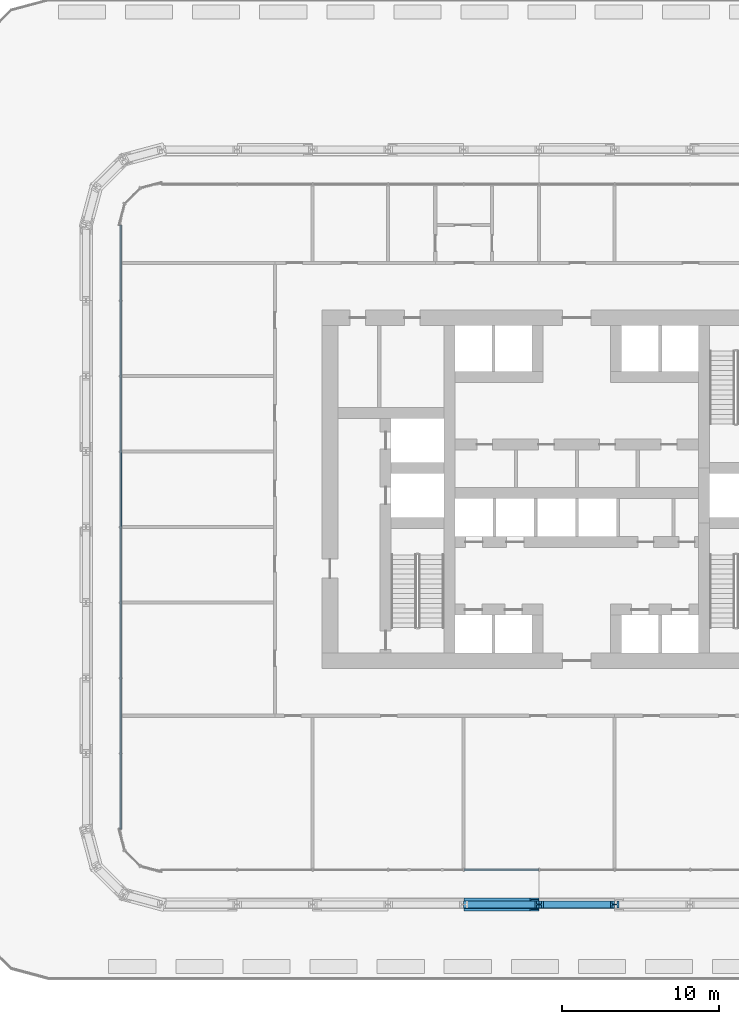
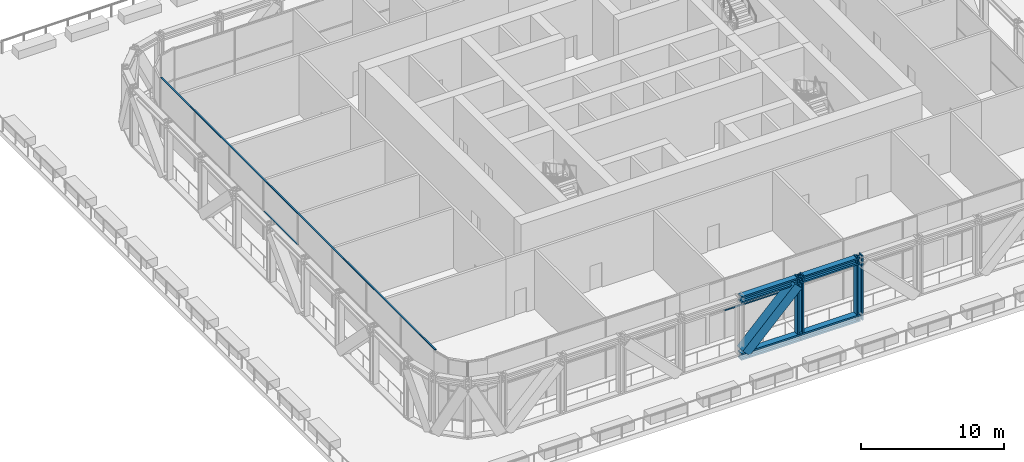
# One storey, part 3 of 22: 10 members, 2 elements without a shape of their own.
"""IFC4 building model written with IfcOpenShell, lengths in metres."""

from ifc_helpers import new_model, si_unit, direction, frame, origin, origin_2d, place, context, subcontext, project, spatial, rectangle, hollow_rectangle, i_section, extrude, material, layer, layer_set, material_profile, profile_set, type_object, element, aggregate, save


model = new_model("IFC4")

# Units and contexts
model_context = context("Model", 3, precision=1e-05, world=origin(), true_north=direction((0.0, 1.0)))
body_context = subcontext(model_context, "Body", "Model", "MODEL_VIEW")
ifc_project = project(units=[si_unit("LENGTHUNIT", "METRE"), si_unit("AREAUNIT", "SQUARE_METRE"), si_unit("VOLUMEUNIT", "CUBIC_METRE"), si_unit("PLANEANGLEUNIT", "RADIAN"), si_unit("MASSUNIT", "GRAM", prefix="KILO")], contexts=[model_context])

# Site, building, storey
site_placement = place(None, origin())
site = spatial("IfcSite", under=ifc_project, at=site_placement, CompositionType="ELEMENT")
building_placement = place(site_placement, origin())
building = spatial("IfcBuilding", under=site, at=building_placement, Name="Madar Terraces", CompositionType="ELEMENT")
storey_placement = place(building_placement, frame((0.0, 0.0, 24.0)))
storey = spatial("IfcBuildingStorey", under=building, at=storey_placement, Name="L05", CompositionType="ELEMENT", Elevation=24.0)

# Members
ifc_material_1 = material(Name="Steel ASTM A913 Grade 65", Category="steel")
ifc_material_profile_1 = material_profile(ifc_material_1, i_section(OverallWidth=0.4775390625, OverallDepth=0.599365234375, WebThickness=0.10009765625, FlangeThickness=0.139892578125, at=origin_2d()), Name="W14x873")
ifc_profile_set_1 = profile_set([ifc_material_profile_1], Name="Steel ASTM A913 Grade 65")
member_type_1 = type_object("IfcMemberType", Name="BC1 W14x873", PredefinedType="CHORD", material=ifc_profile_set_1)
for number, where, z_axis, x_axis, name in (
    (1, (24.0, 0.0, -0.120361328125), (1.0, 0.0, 0.0), (0.0, 1.0, 0.0), "Exoskeleton truss ring bottom chord BC1"),
    (2, (28.800048828125, 0.0, -0.120361328125), (1.0, 0.0, 0.0), (0.0, 1.0, 0.0), "Exoskeleton truss ring bottom chord BC1"),
):
    element("IfcMember", number, at=place(storey_placement, frame(where, z_axis=z_axis, x_axis=x_axis)), inside=storey, type_object=member_type_1, Name=name, PredefinedType="CHORD", context=body_context, shape_type="SweptSolid", body=[
        extrude(i_section(OverallWidth=0.4775390625, OverallDepth=0.599365234375, WebThickness=0.10009765625, FlangeThickness=0.139892578125, at=origin_2d()), origin(), (0.0, 0.0, 1.0), 4.800048828125),
    ])

# Curtain wall, member
ifc_material_2 = material(Name="Glass, ceramic frit dark grey, with black aluminium frame", Category="aluminium")
ifc_layer = layer(ifc_material_2, 0.199951171875)
ifc_layer_set = layer_set([ifc_layer], Name="Facade curtain wall, tall glazing")
curtain_wall_type = type_object("IfcCurtainWallType", Name="Facade curtain wall, tall glazing", PredefinedType="NOTDEFINED", material=ifc_layer_set)
curtain_wall_1_placement = place(storey_placement, origin())
curtain_wall_1 = element("IfcCurtainWall", 3, at=curtain_wall_1_placement, inside=storey, type_object=curtain_wall_type, Name="Outer skin curtain wall south bay 1", PredefinedType="NOTDEFINED")
ifc_material_3 = material(Name="Aluminium, black anodised", Category="aluminium")
ifc_material_profile_2 = material_profile(ifc_material_3, rectangle(XDim=0.1201171875, YDim=0.06005859375, at=origin_2d()), Name="Facade transom 60x120")
ifc_profile_set_2 = profile_set([ifc_material_profile_2], Name="Aluminium, black anodised")
member_type_2 = type_object("IfcMemberType", Name="Facade transom 60x120", PredefinedType="USERDEFINED", material=ifc_profile_set_2)
member_1_placement = place(storey_placement, frame((24.030029296875, 2.199951171875, 2.39990234375), z_axis=(1.0, 0.0, 0.0), x_axis=(0.0, 1.0, 0.0)))
member_1 = element("IfcMember", 4, at=member_1_placement, type_object=member_type_2, Name="Transom 8", ObjectType="TRANSOM", PredefinedType="USERDEFINED", context=body_context, shape_type="SweptSolid", body=[
    extrude(rectangle(XDim=0.1201171875, YDim=0.06005859375, at=origin_2d()), origin(), (0.0, 0.0, 1.0), 4.739990234375),
])
aggregate(curtain_wall_1, [member_1])

# Curtain wall, members
curtain_wall_2_placement = place(storey_placement, origin())
curtain_wall_2 = element("IfcCurtainWall", 5, at=curtain_wall_2_placement, inside=storey, type_object=curtain_wall_type, Name="Outer skin curtain wall west bay 1", PredefinedType="NOTDEFINED")
member_2_placement = place(storey_placement, frame((2.199951171875, 43.199951171875, 5.070068359375), z_axis=(0.0, -1.0, 0.0), x_axis=(1.0, 0.0, 0.0)))
member_2 = element("IfcMember", 6, at=member_2_placement, type_object=member_type_2, Name="Transom 1", ObjectType="TRANSOM", PredefinedType="USERDEFINED", context=body_context, shape_type="SweptSolid", body=[
    extrude(rectangle(XDim=0.1201171875, YDim=0.06005859375, at=origin_2d()), origin(), (0.0, 0.0, 1.0), 38.39990234375),
])
member_3_placement = place(storey_placement, frame((2.199951171875, 28.77001953125, 2.39990234375), z_axis=(0.0, -1.0, 0.0), x_axis=(1.0, 0.0, 0.0)))
member_3 = element("IfcMember", 7, at=member_3_placement, type_object=member_type_2, Name="Transom 5", ObjectType="TRANSOM", PredefinedType="USERDEFINED", context=body_context, shape_type="SweptSolid", body=[
    extrude(rectangle(XDim=0.1201171875, YDim=0.06005859375, at=origin_2d()), origin(), (0.0, 0.0, 1.0), 4.739990234375),
])
aggregate(curtain_wall_2, [member_2, member_3])

# Members
ifc_material_4 = material(Name="Steel ASTM A913 Grade 65", Category="steel")
ifc_material_profile_3 = material_profile(ifc_material_4, i_section(OverallWidth=0.45458984375, OverallDepth=0.56884765625, WebThickness=0.077880859375, FlangeThickness=0.124755859375, at=origin_2d()), Name="W14x730")
ifc_profile_set_3 = profile_set([ifc_material_profile_3], Name="Steel ASTM A913 Grade 65")
member_type_3 = type_object("IfcMemberType", Name="TC1 W14x730", PredefinedType="CHORD", material=ifc_profile_set_3)
for number, where, z_axis, x_axis, name in (
    (8, (24.0, 0.0, 4.74560546875), (1.0, 0.0, 0.0), (0.0, 1.0, 0.0), "Exoskeleton truss ring top chord TC1"),
    (9, (28.800048828125, 0.0, 4.74560546875), (1.0, 0.0, 0.0), (0.0, 1.0, 0.0), "Exoskeleton truss ring top chord TC1"),
):
    element("IfcMember", number, at=place(storey_placement, frame(where, z_axis=z_axis, x_axis=x_axis)), inside=storey, type_object=member_type_3, Name=name, PredefinedType="CHORD", context=body_context, shape_type="SweptSolid", body=[
        extrude(i_section(OverallWidth=0.45458984375, OverallDepth=0.56884765625, WebThickness=0.077880859375, FlangeThickness=0.124755859375, at=origin_2d()), origin(), (0.0, 0.0, 1.0), 4.800048828125),
    ])
ifc_material_5 = material(Name="Steel ASTM A572 Grade 50", Category="steel")
ifc_material_profile_4 = material_profile(ifc_material_5, hollow_rectangle(XDim=0.800048828125, YDim=0.800048828125, WallThickness=0.080078125, at=origin_2d()), Name="BOX800x800x80")
ifc_profile_set_4 = profile_set([ifc_material_profile_4], Name="Steel ASTM A572 Grade 50")
member_type_4 = type_object("IfcMemberType", Name="TD1 BOX800x800x80", PredefinedType="BRACE", material=ifc_profile_set_4)
member_4_placement = place(storey_placement, frame((24.295654296875, 0.0, 0.179443359375), z_axis=(0.702280003428, 0.0, 0.711900833533), x_axis=(0.0, 1.0, 0.0)))
element("IfcMember", 10, at=member_4_placement, inside=storey, type_object=member_type_4, Name="Exoskeleton truss ring diagonal TD1", PredefinedType="BRACE", context=body_context, shape_type="SweptSolid", body=[
    extrude(hollow_rectangle(XDim=0.800048828125, YDim=0.800048828125, WallThickness=0.080078125, at=origin_2d()), origin(), (0.0, 0.0, 1.0), 6.01416015625),
])
ifc_material_6 = material(Name="Steel ASTM A913 Grade 65", Category="steel")
ifc_material_profile_5 = material_profile(ifc_material_6, i_section(OverallWidth=0.44189453125, OverallDepth=0.53076171875, WebThickness=0.06591796875, FlangeThickness=0.105712890625, at=origin_2d()), Name="W14x605")
ifc_profile_set_5 = profile_set([ifc_material_profile_5], Name="Steel ASTM A913 Grade 65")
member_type_5 = type_object("IfcMemberType", Name="TV1 W14x605", PredefinedType="POST", material=ifc_profile_set_5)
member_5_placement = place(storey_placement, frame((28.800048828125, 0.0, 0.179443359375), z_axis=(0.0, 0.0, 1.0), x_axis=(0.0, 1.0, 0.0)))
element("IfcMember", 11, at=member_5_placement, inside=storey, type_object=member_type_5, Name="Exoskeleton truss ring post TV1", PredefinedType="POST", context=body_context, shape_type="SweptSolid", body=[
    extrude(i_section(OverallWidth=0.44189453125, OverallDepth=0.53076171875, WebThickness=0.06591796875, FlangeThickness=0.105712890625, at=origin_2d()), origin(), (0.0, 0.0, 1.0), 4.920654296875),
])
member_6_placement = place(storey_placement, frame((33.60009765625, 0.0, -0.419921875), z_axis=(0.0, 0.0, 1.0), x_axis=(0.0, 1.0, 0.0)))
element("IfcMember", 12, at=member_6_placement, inside=storey, type_object=member_type_5, Name="Exoskeleton truss ring post TV1", PredefinedType="POST", context=body_context, shape_type="SweptSolid", body=[
    extrude(i_section(OverallWidth=0.44189453125, OverallDepth=0.53076171875, WebThickness=0.06591796875, FlangeThickness=0.105712890625, at=origin_2d()), origin(), (0.0, 0.0, 1.0), 5.52001953125),
])

save(model, "model.ifc")
